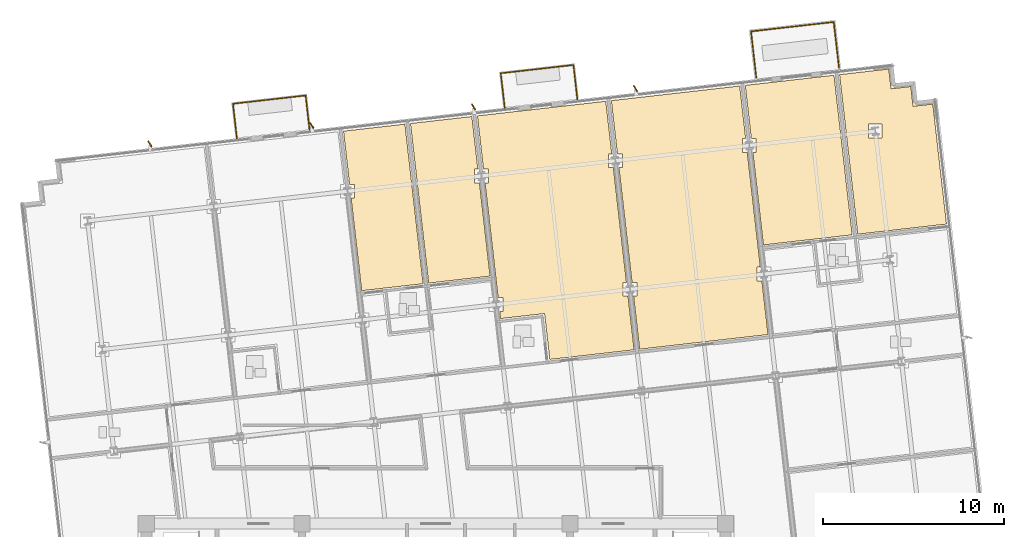
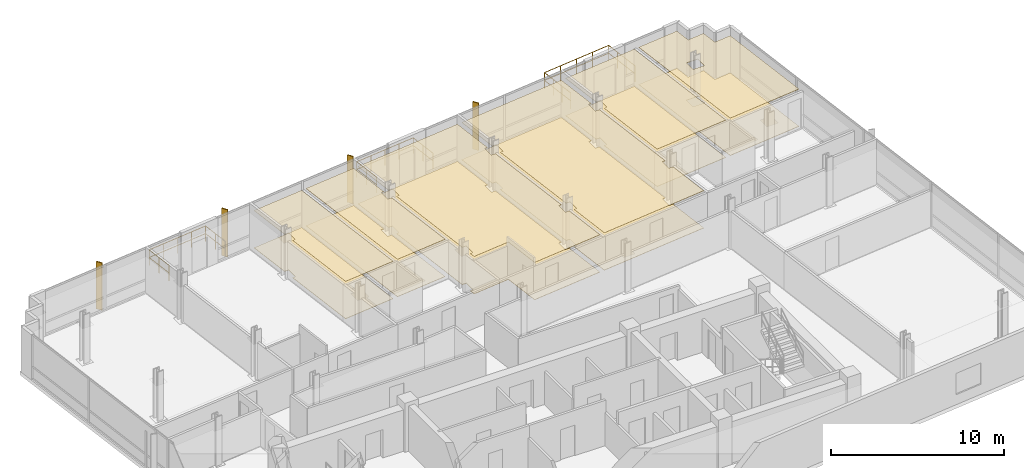
# One storey, part 15 of 16: 12 coverings, 9 railings, 4 shading devices.
"""IFC4 building model written with IfcOpenShell, lengths in metres."""

from ifc_helpers import new_model, si_unit, direction, frame, origin, origin_2d, place, context, subcontext, project, spatial, polyline, rectangle, circle, outline, extrude, material, layer, layer_set, type_object, element, save


model = new_model("IFC4")

# Units and contexts
model_context = context("Model", 3, precision=1e-05, world=origin(), true_north=direction((0.0, 1.0)))
body_context = subcontext(model_context, "Body", "Model", "MODEL_VIEW")
ifc_project = project(units=[si_unit("LENGTHUNIT", "METRE"), si_unit("AREAUNIT", "SQUARE_METRE"), si_unit("VOLUMEUNIT", "CUBIC_METRE"), si_unit("PLANEANGLEUNIT", "RADIAN"), si_unit("MASSUNIT", "GRAM", prefix="KILO")], contexts=[model_context])

# Site, building, storey
site_placement = place(None, origin())
site = spatial("IfcSite", under=ifc_project, at=site_placement, CompositionType="ELEMENT")
building_placement = place(site_placement, origin())
building = spatial("IfcBuilding", under=site, at=building_placement, Name="Solmavex Isthmus Hotel", CompositionType="ELEMENT")
storey_placement = place(building_placement, frame((0.0, 0.0, 215.85009765625)))
storey = spatial("IfcBuildingStorey", under=building, at=storey_placement, Name="L58", CompositionType="ELEMENT", Elevation=215.85009765625)

# Coverings
ifc_material_1 = material(Name="Gypsum plasterboard lining", Category="gypsum")
ifc_layer_1 = layer(ifc_material_1, 0.030029296875)
ifc_layer_set_1 = layer_set([ifc_layer_1], Name="Gypsum plasterboard lining")
covering_type_1 = type_object("IfcCoveringType", Name="COV-CEIL-GYP", PredefinedType="CEILING", material=ifc_layer_set_1)
covering_1_placement = place(storey_placement, frame((0.0, 0.0, 2.619873046875)))
element("IfcCovering", 1, at=covering_1_placement, inside=storey, type_object=covering_type_1, Name="Suspended Acoustic Ceiling L58-HB03", PredefinedType="CEILING", context=body_context, shape_type="SweptSolid", body=[
    extrude(outline(polyline([(-4.772216796875, 16.2412109375), (-4.5048828125, 16.2412109375), (-4.5048828125, 15.481201171875), (-4.685546875, 15.481201171875), (-4.10302734375, 10.367431640625), (-0.7119140625, 10.75390625), (-1.71630859375, 19.56884765625), (-5.107177734375, 19.182373046875), (-4.772216796875, 16.2412109375)])), origin(), (0.0, 0.0, 1.0), 0.030029296875),
])
covering_2_placement = place(storey_placement, frame((0.0, 0.0, 2.619873046875)))
element("IfcCovering", 2, at=covering_2_placement, inside=storey, type_object=covering_type_1, Name="Suspended Acoustic Ceiling L58-HP03", PredefinedType="CEILING", context=body_context, shape_type="SweptSolid", body=[
    extrude(outline(polyline([(2.400634765625, 16.32421875), (2.13330078125, 16.32421875), (2.13330078125, 17.084228515625), (2.31396484375, 17.084228515625), (1.98291015625, 19.990234375), (-1.408203125, 19.60400390625), (-0.40380859375, 10.7890625), (2.9873046875, 11.17529296875), (2.400634765625, 16.32421875)])), origin(), (0.0, 0.0, 1.0), 0.030029296875),
])
covering_3_placement = place(storey_placement, frame((0.0, 0.0, 2.619873046875)))
element("IfcCovering", 3, at=covering_3_placement, inside=storey, type_object=covering_type_1, Name="Suspended Acoustic Ceiling L58-RM04", PredefinedType="CEILING", context=body_context, shape_type="SweptSolid", body=[
    extrude(outline(polyline([(3.435546875, 9.978271484375), (3.702880859375, 9.978271484375), (3.702880859375, 9.21826171875), (3.522216796875, 9.21826171875), (3.566650390625, 8.827880859375), (6.0009765625, 9.105224609375), (6.28955078125, 6.571533203125), (10.945556640625, 7.10205078125), (10.6083984375, 10.06103515625), (10.341064453125, 10.06103515625), (10.341064453125, 10.821044921875), (10.521728515625, 10.821044921875), (9.798583984375, 17.167236328125), (9.531494140625, 17.167236328125), (9.531494140625, 17.92724609375), (9.712158203125, 17.92724609375), (9.381103515625, 20.833251953125), (2.290771484375, 20.025390625), (2.6259765625, 17.084228515625), (2.893310546875, 17.084228515625), (2.893310546875, 16.32421875), (2.712646484375, 16.32421875), (3.435546875, 9.978271484375)])), origin(), (0.0, 0.0, 1.0), 0.030029296875),
])
covering_4_placement = place(storey_placement, frame((0.0, 0.0, 2.619873046875)))
element("IfcCovering", 4, at=covering_4_placement, inside=storey, type_object=covering_type_1, Name="Suspended Acoustic Ceiling L58-RM05", PredefinedType="CEILING", context=body_context, shape_type="SweptSolid", body=[
    extrude(outline(polyline([(10.833740234375, 10.821044921875), (11.10107421875, 10.821044921875), (11.10107421875, 10.06103515625), (10.92041015625, 10.06103515625), (11.25341796875, 7.13720703125), (18.343505859375, 7.945068359375), (18.006591796875, 10.904052734375), (17.7392578125, 10.904052734375), (17.7392578125, 11.6640625), (17.919921875, 11.6640625), (17.19677734375, 18.010009765625), (16.929443359375, 18.010009765625), (16.929443359375, 18.77001953125), (17.1103515625, 18.77001953125), (16.779052734375, 21.676025390625), (9.68896484375, 20.868408203125), (10.024169921875, 17.92724609375), (10.29150390625, 17.92724609375), (10.29150390625, 17.167236328125), (10.110595703125, 17.167236328125), (10.833740234375, 10.821044921875)])), origin(), (0.0, 0.0, 1.0), 0.030029296875),
])
covering_5_placement = place(storey_placement, frame((0.0, 0.0, 2.619873046875)))
element("IfcCovering", 5, at=covering_5_placement, inside=storey, type_object=covering_type_1, Name="Suspended Acoustic Ceiling L58-HB06", PredefinedType="CEILING", context=body_context, shape_type="SweptSolid", body=[
    extrude(outline(polyline([(17.42236328125, 18.77001953125), (17.689453125, 18.77001953125), (17.689453125, 18.010009765625), (17.5087890625, 18.010009765625), (18.091552734375, 12.896240234375), (22.99365234375, 13.454833984375), (21.989501953125, 22.269775390625), (17.087158203125, 21.711181640625), (17.42236328125, 18.77001953125)])), origin(), (0.0, 0.0, 1.0), 0.030029296875),
])
covering_6_placement = place(storey_placement, frame((0.0, 0.0, 2.619873046875)))
element("IfcCovering", 6, at=covering_6_placement, inside=storey, type_object=covering_type_1, Name="Suspended Acoustic Ceiling L58-HP06", PredefinedType="CEILING", context=body_context, shape_type="SweptSolid", body=[
    extrude(outline(polyline([(25.013916015625, 22.6142578125), (24.194091796875, 22.52099609375), (22.29736328125, 22.304931640625), (23.3017578125, 13.489990234375), (28.2041015625, 14.04833984375), (27.542236328125, 19.85791015625), (27.44873046875, 20.677490234375), (26.35595703125, 20.552978515625), (26.231201171875, 21.64599609375), (25.138427734375, 21.521484375), (25.013916015625, 22.6142578125)]), holes=[polyline([(23.892578125, 19.5634765625), (24.652587890625, 19.5634765625), (24.652587890625, 18.803466796875), (23.892578125, 18.803466796875), (23.892578125, 19.5634765625)])]), origin(), (0.0, 0.0, 1.0), 0.030029296875),
])
ifc_material_2 = material(Name="Travertine natural stone", Category="masonry")
ifc_layer_2 = layer(ifc_material_2, 0.02490234375)
ifc_layer_set_2 = layer_set([ifc_layer_2], Name="Travertine natural stone")
covering_type_2 = type_object("IfcCoveringType", Name="COV-FLOR-STN", PredefinedType="FLOORING", material=ifc_layer_set_2)
covering_7_placement = place(storey_placement, origin())
element("IfcCovering", 7, at=covering_7_placement, inside=storey, type_object=covering_type_2, Name="Stone and Timber Floor Finish L58-HB03", PredefinedType="FLOORING", context=body_context, shape_type="SweptSolid", body=[
    extrude(outline(polyline([(-4.772216796875, 16.2412109375), (-4.5048828125, 16.2412109375), (-4.5048828125, 15.481201171875), (-4.685546875, 15.481201171875), (-4.10302734375, 10.367431640625), (-0.7119140625, 10.75390625), (-1.71630859375, 19.56884765625), (-5.107177734375, 19.182373046875), (-4.772216796875, 16.2412109375)])), origin(), (0.0, 0.0, 1.0), 0.02490234375),
])
covering_8_placement = place(storey_placement, origin())
element("IfcCovering", 8, at=covering_8_placement, inside=storey, type_object=covering_type_2, Name="Stone and Timber Floor Finish L58-HP03", PredefinedType="FLOORING", context=body_context, shape_type="SweptSolid", body=[
    extrude(outline(polyline([(2.400634765625, 16.32421875), (2.13330078125, 16.32421875), (2.13330078125, 17.084228515625), (2.31396484375, 17.084228515625), (1.98291015625, 19.990234375), (-1.408203125, 19.60400390625), (-0.40380859375, 10.7890625), (2.9873046875, 11.17529296875), (2.400634765625, 16.32421875)])), origin(), (0.0, 0.0, 1.0), 0.02490234375),
])
covering_9_placement = place(storey_placement, origin())
element("IfcCovering", 9, at=covering_9_placement, inside=storey, type_object=covering_type_2, Name="Stone and Timber Floor Finish L58-RM04", PredefinedType="FLOORING", context=body_context, shape_type="SweptSolid", body=[
    extrude(outline(polyline([(3.435546875, 9.978271484375), (3.702880859375, 9.978271484375), (3.702880859375, 9.21826171875), (3.522216796875, 9.21826171875), (3.566650390625, 8.827880859375), (6.0009765625, 9.105224609375), (6.28955078125, 6.571533203125), (10.945556640625, 7.10205078125), (10.6083984375, 10.06103515625), (10.341064453125, 10.06103515625), (10.341064453125, 10.821044921875), (10.521728515625, 10.821044921875), (9.798583984375, 17.167236328125), (9.531494140625, 17.167236328125), (9.531494140625, 17.92724609375), (9.712158203125, 17.92724609375), (9.381103515625, 20.833251953125), (2.290771484375, 20.025390625), (2.6259765625, 17.084228515625), (2.893310546875, 17.084228515625), (2.893310546875, 16.32421875), (2.712646484375, 16.32421875), (3.435546875, 9.978271484375)])), origin(), (0.0, 0.0, 1.0), 0.02490234375),
])
covering_10_placement = place(storey_placement, origin())
element("IfcCovering", 10, at=covering_10_placement, inside=storey, type_object=covering_type_2, Name="Stone and Timber Floor Finish L58-RM05", PredefinedType="FLOORING", context=body_context, shape_type="SweptSolid", body=[
    extrude(outline(polyline([(10.833740234375, 10.821044921875), (11.10107421875, 10.821044921875), (11.10107421875, 10.06103515625), (10.92041015625, 10.06103515625), (11.25341796875, 7.13720703125), (18.343505859375, 7.945068359375), (18.006591796875, 10.904052734375), (17.7392578125, 10.904052734375), (17.7392578125, 11.6640625), (17.919921875, 11.6640625), (17.19677734375, 18.010009765625), (16.929443359375, 18.010009765625), (16.929443359375, 18.77001953125), (17.1103515625, 18.77001953125), (16.779052734375, 21.676025390625), (9.68896484375, 20.868408203125), (10.024169921875, 17.92724609375), (10.29150390625, 17.92724609375), (10.29150390625, 17.167236328125), (10.110595703125, 17.167236328125), (10.833740234375, 10.821044921875)])), origin(), (0.0, 0.0, 1.0), 0.02490234375),
])
covering_11_placement = place(storey_placement, origin())
element("IfcCovering", 11, at=covering_11_placement, inside=storey, type_object=covering_type_2, Name="Stone and Timber Floor Finish L58-HB06", PredefinedType="FLOORING", context=body_context, shape_type="SweptSolid", body=[
    extrude(outline(polyline([(17.42236328125, 18.77001953125), (17.689453125, 18.77001953125), (17.689453125, 18.010009765625), (17.5087890625, 18.010009765625), (18.091552734375, 12.896240234375), (22.99365234375, 13.454833984375), (21.989501953125, 22.269775390625), (17.087158203125, 21.711181640625), (17.42236328125, 18.77001953125)])), origin(), (0.0, 0.0, 1.0), 0.02490234375),
])
covering_12_placement = place(storey_placement, origin())
element("IfcCovering", 12, at=covering_12_placement, inside=storey, type_object=covering_type_2, Name="Stone and Timber Floor Finish L58-HP06", PredefinedType="FLOORING", context=body_context, shape_type="SweptSolid", body=[
    extrude(outline(polyline([(25.013916015625, 22.6142578125), (24.194091796875, 22.52099609375), (22.29736328125, 22.304931640625), (23.3017578125, 13.489990234375), (28.2041015625, 14.04833984375), (27.542236328125, 19.85791015625), (27.44873046875, 20.677490234375), (26.35595703125, 20.552978515625), (26.231201171875, 21.64599609375), (25.138427734375, 21.521484375), (25.013916015625, 22.6142578125)]), holes=[polyline([(23.892578125, 19.5634765625), (24.652587890625, 19.5634765625), (24.652587890625, 18.803466796875), (23.892578125, 18.803466796875), (23.892578125, 19.5634765625)])]), origin(), (0.0, 0.0, 1.0), 0.02490234375),
])

# Railings
ifc_material_3 = material(Name="Clear low-E laminated glass", Category="glass")
ifc_layer_3 = layer(ifc_material_3, 0.080078125)
ifc_layer_set_3 = layer_set([ifc_layer_3], Name="Clear low-E laminated glass")
railing_type_1 = type_object("IfcRailingType", Name="RAIL-ATRIUM-1120", PredefinedType="BALUSTRADE", material=ifc_layer_set_3)
railing_1_placement = place(storey_placement, frame((17.693359375, 22.15869140625, 0.0)))
element("IfcRailing", 13, at=railing_1_placement, inside=storey, type_object=railing_type_1, Name="Guardrail Balustrade L58-SG1-01", PredefinedType="BALUSTRADE", context=body_context, shape_type="SweptSolid", body=[
    extrude(circle(Radius=0.02392578125, at=origin_2d()), frame((0.0, 0.0, 1.1259765625), z_axis=(-0.113206239248, 0.993571510962, 0.0), x_axis=(-0.993571510962, -0.113206239248, 0.0)), (0.0, 0.0, 1.0), 2.549072265625),
    extrude(circle(Radius=0.02392578125, at=origin_2d()), frame((0.0, 0.0, 0.574951171875), z_axis=(-0.113206239248, 0.993571510962, 0.0), x_axis=(-0.993571510962, -0.113206239248, 0.0)), (0.0, 0.0, 1.0), 2.549072265625),
    extrude(circle(Radius=0.02099609375, at=origin_2d()), origin(), (0.0, 0.0, 1.0), 1.101806640625),
    extrude(circle(Radius=0.02099609375, at=origin_2d()), frame((-0.09619140625, 0.84423828125, 0.0)), (0.0, 0.0, 1.0), 1.101806640625),
    extrude(circle(Radius=0.02099609375, at=origin_2d()), frame((-0.1923828125, 1.6884765625, 0.0)), (0.0, 0.0, 1.0), 1.101806640625),
    extrude(circle(Radius=0.02099609375, at=origin_2d()), frame((-0.28857421875, 2.53271484375, 0.0)), (0.0, 0.0, 1.0), 1.101806640625),
])
railing_2_placement = place(storey_placement, frame((17.40478515625, 24.69140625, 0.0)))
element("IfcRailing", 14, at=railing_2_placement, inside=storey, type_object=railing_type_1, Name="Guardrail Balustrade L58-SG1-02", PredefinedType="BALUSTRADE", context=body_context, shape_type="SweptSolid", body=[
    extrude(circle(Radius=0.02392578125, at=origin_2d()), frame((0.0, 0.0, 1.1259765625), z_axis=(0.993571787166, 0.113203815075, 0.0), x_axis=(-0.113203815075, 0.993571787166, 0.0)), (0.0, 0.0, 1.0), 4.60009765625),
    extrude(circle(Radius=0.02392578125, at=origin_2d()), frame((0.0, 0.0, 0.574951171875), z_axis=(0.993571787166, 0.113203815075, 0.0), x_axis=(-0.113203815075, 0.993571787166, 0.0)), (0.0, 0.0, 1.0), 4.60009765625),
    extrude(circle(Radius=0.02099609375, at=origin_2d()), origin(), (0.0, 0.0, 1.0), 1.101806640625),
    extrude(circle(Radius=0.02099609375, at=origin_2d()), frame((1.142578125, 0.130126953125, 0.0)), (0.0, 0.0, 1.0), 1.101806640625),
    extrude(circle(Radius=0.02099609375, at=origin_2d()), frame((2.28515625, 0.26025390625, 0.0)), (0.0, 0.0, 1.0), 1.101806640625),
    extrude(circle(Radius=0.02099609375, at=origin_2d()), frame((3.427978515625, 0.390625, 0.0)), (0.0, 0.0, 1.0), 1.101806640625),
    extrude(circle(Radius=0.02099609375, at=origin_2d()), frame((4.570556640625, 0.520751953125, 0.0)), (0.0, 0.0, 1.0), 1.101806640625),
])
railing_3_placement = place(storey_placement, frame((21.975341796875, 25.212158203125, 0.0)))
element("IfcRailing", 15, at=railing_3_placement, inside=storey, type_object=railing_type_1, Name="Guardrail Balustrade L58-SG1-03", PredefinedType="BALUSTRADE", context=body_context, shape_type="SweptSolid", body=[
    extrude(circle(Radius=0.02392578125, at=origin_2d()), frame((0.0, 0.0, 1.1259765625), z_axis=(0.113206239248, -0.993571510962, 0.0), x_axis=(0.993571510962, 0.113206239248, 0.0)), (0.0, 0.0, 1.0), 2.549072265625),
    extrude(circle(Radius=0.02392578125, at=origin_2d()), frame((0.0, 0.0, 0.574951171875), z_axis=(0.113206239248, -0.993571510962, 0.0), x_axis=(0.993571510962, 0.113206239248, 0.0)), (0.0, 0.0, 1.0), 2.549072265625),
    extrude(circle(Radius=0.02099609375, at=origin_2d()), origin(), (0.0, 0.0, 1.0), 1.101806640625),
    extrude(circle(Radius=0.02099609375, at=origin_2d()), frame((0.09619140625, -0.84423828125, 0.0)), (0.0, 0.0, 1.0), 1.101806640625),
    extrude(circle(Radius=0.02099609375, at=origin_2d()), frame((0.1923828125, -1.6884765625, 0.0)), (0.0, 0.0, 1.0), 1.101806640625),
    extrude(circle(Radius=0.02099609375, at=origin_2d()), frame((0.28857421875, -2.53271484375, 0.0)), (0.0, 0.0, 1.0), 1.101806640625),
])
ifc_layer_4 = layer(ifc_material_3, 0.070068359375)
ifc_layer_set_4 = layer_set([ifc_layer_4], Name="Clear low-E laminated glass")
railing_type_2 = type_object("IfcRailingType", Name="RAIL-GUARD-1100", PredefinedType="BALUSTRADE", material=ifc_layer_set_4)
railing_4_placement = place(storey_placement, frame((-10.99853515625, 18.7880859375, 0.0)))
element("IfcRailing", 16, at=railing_4_placement, inside=storey, type_object=railing_type_2, Name="Guardrail Balustrade L58-BAL1-01", PredefinedType="BALUSTRADE", context=body_context, shape_type="SweptSolid", body=[
    extrude(circle(Radius=0.02392578125, at=origin_2d()), frame((0.0, 0.0, 1.09619140625), z_axis=(-0.113166454875, 0.993576043135, 0.0), x_axis=(-0.993576043135, -0.113166454875, 0.0)), (0.0, 0.0, 1.0), 1.920166015625),
    extrude(circle(Radius=0.02392578125, at=origin_2d()), frame((0.0, 0.0, 0.56005859375), z_axis=(-0.113166454875, 0.993576043135, 0.0), x_axis=(-0.993576043135, -0.113166454875, 0.0)), (0.0, 0.0, 1.0), 1.920166015625),
    extrude(circle(Radius=0.02099609375, at=origin_2d()), origin(), (0.0, 0.0, 1.0), 1.072021484375),
    extrude(circle(Radius=0.02099609375, at=origin_2d()), frame((-0.108642578125, 0.953857421875, 0.0)), (0.0, 0.0, 1.0), 1.072021484375),
    extrude(circle(Radius=0.02099609375, at=origin_2d()), frame((-0.21728515625, 1.90771484375, 0.0)), (0.0, 0.0, 1.0), 1.072021484375),
])
railing_5_placement = place(storey_placement, frame((-11.2158203125, 20.69580078125, 0.0)))
element("IfcRailing", 17, at=railing_5_placement, inside=storey, type_object=railing_type_2, Name="Guardrail Balustrade L58-BAL1-02", PredefinedType="BALUSTRADE", context=body_context, shape_type="SweptSolid", body=[
    extrude(circle(Radius=0.02392578125, at=origin_2d()), frame((0.0, 0.0, 1.09619140625), z_axis=(0.993573319275, 0.113190367192, 0.0), x_axis=(-0.113190367192, 0.993573319275, 0.0)), (0.0, 0.0, 1.0), 4.039794921875),
    extrude(circle(Radius=0.02392578125, at=origin_2d()), frame((0.0, 0.0, 0.56005859375), z_axis=(0.993573319275, 0.113190367192, 0.0), x_axis=(-0.113190367192, 0.993573319275, 0.0)), (0.0, 0.0, 1.0), 4.039794921875),
    extrude(circle(Radius=0.02099609375, at=origin_2d()), origin(), (0.0, 0.0, 1.0), 1.072021484375),
    extrude(circle(Radius=0.02099609375, at=origin_2d()), frame((1.00341796875, 0.1142578125, 0.0)), (0.0, 0.0, 1.0), 1.072021484375),
    extrude(circle(Radius=0.02099609375, at=origin_2d()), frame((2.0068359375, 0.228515625, 0.0)), (0.0, 0.0, 1.0), 1.072021484375),
    extrude(circle(Radius=0.02099609375, at=origin_2d()), frame((3.010498046875, 0.343017578125, 0.0)), (0.0, 0.0, 1.0), 1.072021484375),
    extrude(circle(Radius=0.02099609375, at=origin_2d()), frame((4.013916015625, 0.457275390625, 0.0)), (0.0, 0.0, 1.0), 1.072021484375),
])
railing_6_placement = place(storey_placement, frame((-7.201904296875, 21.153076171875, 0.0)))
element("IfcRailing", 18, at=railing_6_placement, inside=storey, type_object=railing_type_2, Name="Guardrail Balustrade L58-BAL1-03", PredefinedType="BALUSTRADE", context=body_context, shape_type="SweptSolid", body=[
    extrude(circle(Radius=0.02392578125, at=origin_2d()), frame((0.0, 0.0, 1.09619140625), z_axis=(0.113291977077, -0.993561738359, 0.0), x_axis=(0.993561738359, 0.113291977077, 0.0)), (0.0, 0.0, 1.0), 1.920166015625),
    extrude(circle(Radius=0.02392578125, at=origin_2d()), frame((0.0, 0.0, 0.56005859375), z_axis=(0.113291977077, -0.993561738359, 0.0), x_axis=(0.993561738359, 0.113291977077, 0.0)), (0.0, 0.0, 1.0), 1.920166015625),
    extrude(circle(Radius=0.02099609375, at=origin_2d()), origin(), (0.0, 0.0, 1.0), 1.072021484375),
    extrude(circle(Radius=0.02099609375, at=origin_2d()), frame((0.10888671875, -0.953857421875, 0.0)), (0.0, 0.0, 1.0), 1.072021484375),
    extrude(circle(Radius=0.02099609375, at=origin_2d()), frame((0.217529296875, -1.90771484375, 0.0)), (0.0, 0.0, 1.0), 1.072021484375),
])
railing_7_placement = place(storey_placement, frame((3.7978515625, 20.473876953125, 0.0)))
element("IfcRailing", 19, at=railing_7_placement, inside=storey, type_object=railing_type_2, Name="Guardrail Balustrade L58-BAL2-01", PredefinedType="BALUSTRADE", context=body_context, shape_type="SweptSolid", body=[
    extrude(circle(Radius=0.02392578125, at=origin_2d()), frame((0.0, 0.0, 1.09619140625), z_axis=(-0.113291977077, 0.993561738359, 0.0), x_axis=(-0.993561738359, -0.113291977077, 0.0)), (0.0, 0.0, 1.0), 1.920166015625),
    extrude(circle(Radius=0.02392578125, at=origin_2d()), frame((0.0, 0.0, 0.56005859375), z_axis=(-0.113291977077, 0.993561738359, 0.0), x_axis=(-0.993561738359, -0.113291977077, 0.0)), (0.0, 0.0, 1.0), 1.920166015625),
    extrude(circle(Radius=0.02099609375, at=origin_2d()), origin(), (0.0, 0.0, 1.0), 1.072021484375),
    extrude(circle(Radius=0.02099609375, at=origin_2d()), frame((-0.10888671875, 0.953857421875, 0.0)), (0.0, 0.0, 1.0), 1.072021484375),
    extrude(circle(Radius=0.02099609375, at=origin_2d()), frame((-0.217529296875, 1.90771484375, 0.0)), (0.0, 0.0, 1.0), 1.072021484375),
])
railing_8_placement = place(storey_placement, frame((3.580322265625, 22.381591796875, 0.0)))
element("IfcRailing", 20, at=railing_8_placement, inside=storey, type_object=railing_type_2, Name="Guardrail Balustrade L58-BAL2-02", PredefinedType="BALUSTRADE", context=body_context, shape_type="SweptSolid", body=[
    extrude(circle(Radius=0.02392578125, at=origin_2d()), frame((0.0, 0.0, 1.09619140625), z_axis=(0.993574093472, 0.113183571164, 0.0), x_axis=(-0.113183571164, 0.993574093472, 0.0)), (0.0, 0.0, 1.0), 4.0400390625),
    extrude(circle(Radius=0.02392578125, at=origin_2d()), frame((0.0, 0.0, 0.56005859375), z_axis=(0.993574093472, 0.113183571164, 0.0), x_axis=(-0.113183571164, 0.993574093472, 0.0)), (0.0, 0.0, 1.0), 4.0400390625),
    extrude(circle(Radius=0.02099609375, at=origin_2d()), origin(), (0.0, 0.0, 1.0), 1.072021484375),
    extrude(circle(Radius=0.02099609375, at=origin_2d()), frame((1.00341796875, 0.1142578125, 0.0)), (0.0, 0.0, 1.0), 1.072021484375),
    extrude(circle(Radius=0.02099609375, at=origin_2d()), frame((2.007080078125, 0.228515625, 0.0)), (0.0, 0.0, 1.0), 1.072021484375),
    extrude(circle(Radius=0.02099609375, at=origin_2d()), frame((3.0107421875, 0.343017578125, 0.0)), (0.0, 0.0, 1.0), 1.072021484375),
    extrude(circle(Radius=0.02099609375, at=origin_2d()), frame((4.01416015625, 0.457275390625, 0.0)), (0.0, 0.0, 1.0), 1.072021484375),
])
railing_9_placement = place(storey_placement, frame((7.594482421875, 22.8388671875, 0.0)))
element("IfcRailing", 21, at=railing_9_placement, inside=storey, type_object=railing_type_2, Name="Guardrail Balustrade L58-BAL2-03", PredefinedType="BALUSTRADE", context=body_context, shape_type="SweptSolid", body=[
    extrude(circle(Radius=0.02392578125, at=origin_2d()), frame((0.0, 0.0, 1.09619140625), z_axis=(0.113166454875, -0.993576043135, 0.0), x_axis=(0.993576043135, 0.113166454875, 0.0)), (0.0, 0.0, 1.0), 1.920166015625),
    extrude(circle(Radius=0.02392578125, at=origin_2d()), frame((0.0, 0.0, 0.56005859375), z_axis=(0.113166454875, -0.993576043135, 0.0), x_axis=(0.993576043135, 0.113166454875, 0.0)), (0.0, 0.0, 1.0), 1.920166015625),
    extrude(circle(Radius=0.02099609375, at=origin_2d()), origin(), (0.0, 0.0, 1.0), 1.072021484375),
    extrude(circle(Radius=0.02099609375, at=origin_2d()), frame((0.108642578125, -0.953857421875, 0.0)), (0.0, 0.0, 1.0), 1.072021484375),
    extrude(circle(Radius=0.02099609375, at=origin_2d()), frame((0.21728515625, -1.90771484375, 0.0)), (0.0, 0.0, 1.0), 1.072021484375),
])

# Shading devices
ifc_material_4 = material(Name="Aluminium alloy 6063-T6", Category="aluminium")
shading_device_type = type_object("IfcShadingDeviceType", Name="SHD-FIN-CHAMP", PredefinedType="USERDEFINED", material=ifc_material_4)
for number, where, z_axis, x_axis, name in (
    (22, (-15.8056640625, 18.48193359375, -0.14013671875), (0.0, 0.0, 1.0), (-0.537299608347, 0.843391445813, 0.0), "Anodised Aluminium Solar Fin L58-N1"),
    (23, (-6.863525390625, 19.500732421875, -0.14013671875), (0.0, 0.0, 1.0), (-0.537299608347, 0.843391445813, 0.0), "Anodised Aluminium Solar Fin L58-N2"),
    (24, (2.07861328125, 20.51953125, -0.14013671875), (0.0, 0.0, 1.0), (-0.537299608347, 0.843391445813, 0.0), "Anodised Aluminium Solar Fin L58-N3"),
    (25, (11.020751953125, 21.538330078125, -0.14013671875), (0.0, 0.0, 1.0), (-0.537299608347, 0.843391445813, 0.0), "Anodised Aluminium Solar Fin L58-N4"),
):
    element("IfcShadingDevice", number, at=place(storey_placement, frame(where, z_axis=z_axis, x_axis=x_axis)), inside=storey, type_object=shading_device_type, Name=name, ObjectType="SOLAR_FIN", PredefinedType="USERDEFINED", context=body_context, shape_type="SweptSolid", body=[
        extrude(rectangle(XDim=0.3798828125, YDim=0.070068359375, at=origin_2d()), origin(), (0.0, 0.0, 1.0), 3.330078125),
    ])

save(model, "model.ifc")
